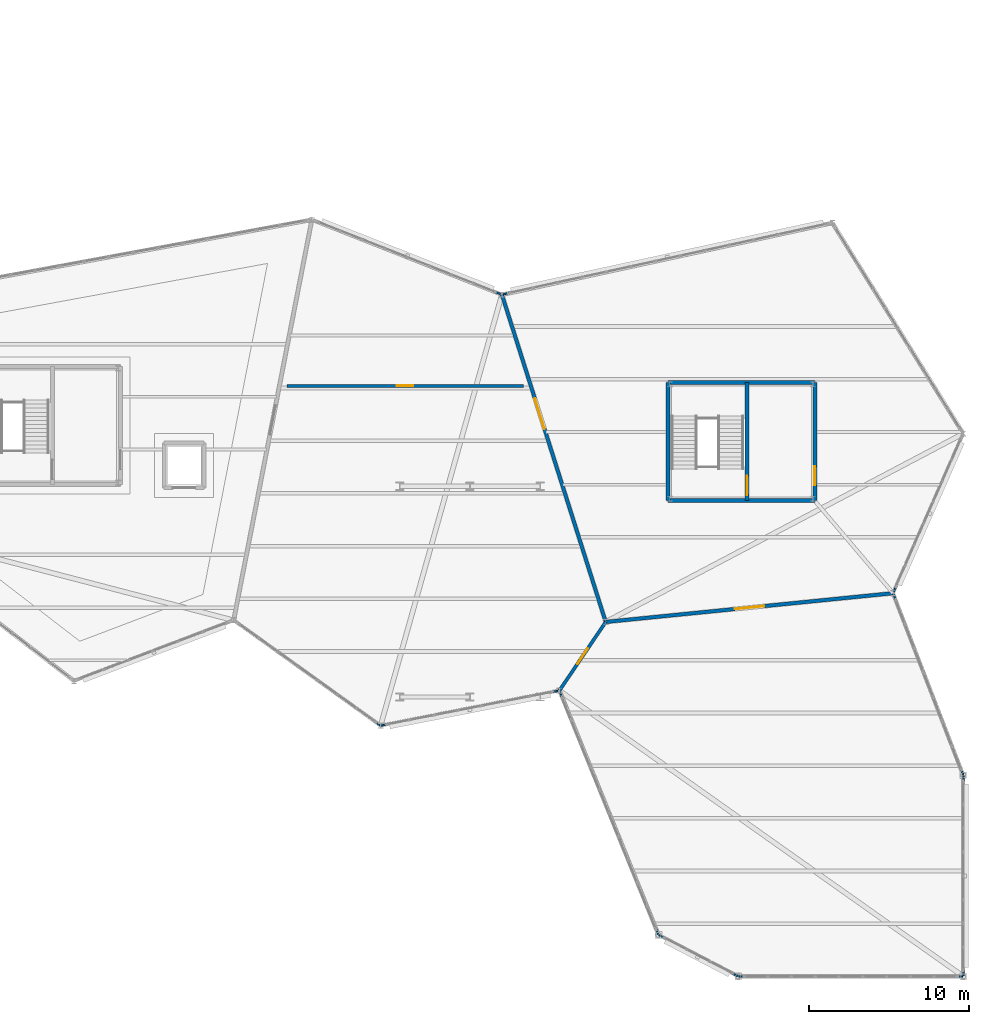
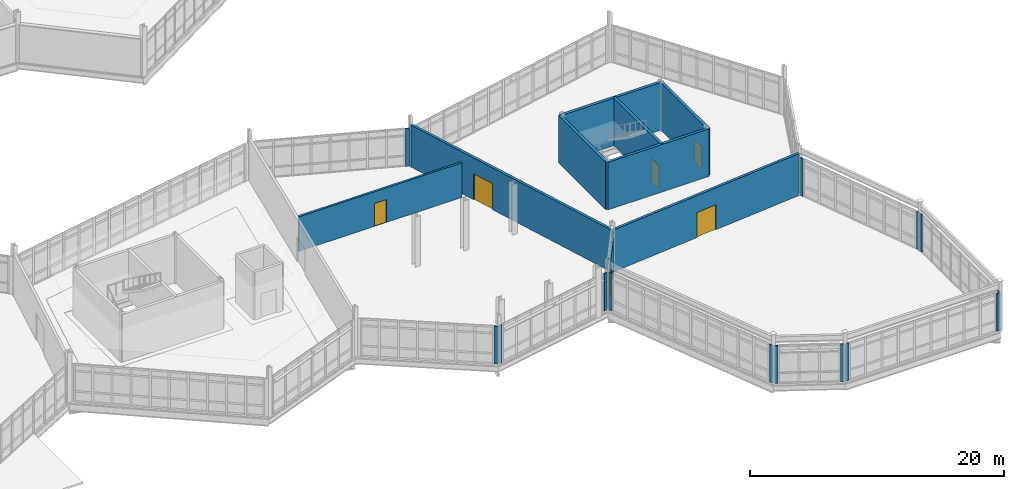
# One storey, part 117 of 134: 25 walls, 6 doors, 6 openings.
"""IFC4 building model written with IfcOpenShell, lengths in metres."""

from ifc_helpers import new_model, si_unit, direction, frame, frame_2d, origin, place, context, subcontext, project, spatial, rectangle, extrude, material, layer, layer_set, type_object, element, fill, save


model = new_model("IFC4")

# Units and contexts
model_context = context("Model", 3, precision=1e-05, world=origin(), true_north=direction((0.0, 1.0)))
body_context = subcontext(model_context, "Body", "Model", "MODEL_VIEW")
ifc_project = project(units=[si_unit("LENGTHUNIT", "METRE"), si_unit("AREAUNIT", "SQUARE_METRE"), si_unit("VOLUMEUNIT", "CUBIC_METRE"), si_unit("PLANEANGLEUNIT", "RADIAN"), si_unit("MASSUNIT", "GRAM", prefix="KILO")], contexts=[model_context])

# Site, building, storey
site_placement = place(None, origin())
site = spatial("IfcSite", under=ifc_project, at=site_placement, CompositionType="ELEMENT")
building_placement = place(site_placement, origin())
building = spatial("IfcBuilding", under=site, at=building_placement, Name="Tameran Prism Museum", CompositionType="ELEMENT")
storey_placement = place(building_placement, frame((0.0, 0.0, 5.39990234375)))
storey = spatial("IfcBuildingStorey", under=building, at=storey_placement, Name="L01", CompositionType="ELEMENT", Elevation=5.39990234375)

# Walls
ifc_material_1 = material(Name="Precast Concrete N40 (40 MPa)", Category="concrete")
ifc_layer_1 = layer(ifc_material_1, 0.094970703125)
ifc_layer_set_1 = layer_set([ifc_layer_1])
wall_type_1 = type_object("IfcWallType", Name="EW-CLOS-095", PredefinedType="SOLIDWALL", material=ifc_layer_set_1)
wall_1_placement = place(storey_placement, frame((137.117919921875, 42.85107421875, 0.0), z_axis=(0.0, 0.0, 1.0), x_axis=(0.929400367485, -0.369073105115, 0.0)))
element("IfcWall", 1, at=wall_1_placement, inside=storey, type_object=wall_type_1, Name="Facade Corner Closure EW-0212", PredefinedType="SOLIDWALL", context=body_context, shape_type="SweptSolid", body=[
    extrude(rectangle(XDim=0.308837890625, YDim=0.094970703125, at=frame_2d((0.154296875, 0.0))), origin(), (0.0, 0.0, 1.0), 3.6201171875),
])
wall_2_placement = place(storey_placement, frame((129.865966796875, 15.72412109375, 0.0), z_axis=(0.0, 0.0, 1.0), x_axis=(-0.811639565077, 0.584158554162, 0.0)))
element("IfcWall", 2, at=wall_2_placement, inside=storey, type_object=wall_type_1, Name="Facade Corner Closure EW-0213", PredefinedType="SOLIDWALL", context=body_context, shape_type="SweptSolid", body=[
    extrude(rectangle(XDim=0.30810546875, YDim=0.094970703125, at=frame_2d((0.154052734375, 0.0))), origin(), (0.0, 0.0, 1.0), 3.6201171875),
])
for number, where, z_axis, x_axis, name in (
    (3, (141.0, 17.8798828125, 0.0), (0.0, 0.0, 1.0), (-0.981545118721, -0.19123069815, 0.0), "Facade Corner Closure EW-0215"),
    (4, (130.242919921875, 15.76708984375, 0.0), (0.0, 0.0, 1.0), (-0.981395904747, -0.191994995108, 0.0), "Facade Corner Closure EW-0216"),
):
    element("IfcWall", number, at=place(storey_placement, frame(where, z_axis=z_axis, x_axis=x_axis)), inside=storey, type_object=wall_type_1, Name=name, PredefinedType="SOLIDWALL", context=body_context, shape_type="SweptSolid", body=[
        extrude(rectangle(XDim=0.3076171875, YDim=0.094970703125, at=frame_2d((0.15380859375, 0.0))), origin(), (0.0, 0.0, 1.0), 3.6201171875),
    ])
wall_3_placement = place(storey_placement, frame((147.283935546875, 2.638916015625, 0.0), z_axis=(0.0, 0.0, 1.0), x_axis=(-0.373990367235, 0.927432587963, 0.0)))
element("IfcWall", 5, at=wall_3_placement, inside=storey, type_object=wall_type_1, Name="Facade Corner Closure EW-0217", PredefinedType="SOLIDWALL", context=body_context, shape_type="SweptSolid", body=[
    extrude(rectangle(XDim=0.307373046875, YDim=0.094970703125, at=frame_2d((0.15380859375, 0.0))), origin(), (0.0, 0.0, 1.0), 3.6201171875),
])
wall_4_placement = place(storey_placement, frame((141.25390625, 17.52001953125, 0.0), z_axis=(0.0, 0.0, 1.0), x_axis=(-0.374265965306, 0.927321404484, 0.0)))
element("IfcWall", 6, at=wall_4_placement, inside=storey, type_object=wall_type_1, Name="Facade Corner Closure EW-0218", PredefinedType="SOLIDWALL", context=body_context, shape_type="SweptSolid", body=[
    extrude(rectangle(XDim=0.30712890625, YDim=0.094970703125, at=frame_2d((0.153564453125, 0.0))), origin(), (0.0, 0.0, 1.0), 3.6201171875),
])
wall_5_placement = place(storey_placement, frame((152.262939453125, 0.01904296875, 0.0), z_axis=(0.0, 0.0, 1.0), x_axis=(-0.888005951379, 0.45983195878, 0.0)))
element("IfcWall", 7, at=wall_5_placement, inside=storey, type_object=wall_type_1, Name="Facade Corner Closure EW-0219", PredefinedType="SOLIDWALL", context=body_context, shape_type="SweptSolid", body=[
    extrude(rectangle(XDim=0.30859375, YDim=0.094970703125, at=frame_2d((0.154296875, 0.0))), origin(), (0.0, 0.0, 1.0), 3.6201171875),
])
wall_6_placement = place(storey_placement, frame((147.611083984375, 2.43896484375, 0.0), z_axis=(0.0, 0.0, 1.0), x_axis=(-0.887850239649, 0.460132537378, 0.0)))
element("IfcWall", 8, at=wall_6_placement, inside=storey, type_object=wall_type_1, Name="Facade Corner Closure EW-0220", PredefinedType="SOLIDWALL", context=body_context, shape_type="SweptSolid", body=[
    extrude(rectangle(XDim=0.308837890625, YDim=0.094970703125, at=frame_2d((0.154296875, 0.0))), origin(), (0.0, 0.0, 1.0), 3.6201171875),
])
for number, where, z_axis, x_axis, name in (
    (9, (166.35791015625, 0.0, 0.0), (0.0, 0.0, 1.0), (-1.0, 0.0, 0.0), "Facade Corner Closure EW-0221"),
    (10, (152.64990234375, 0.0, 0.0), (0.0, 0.0, 1.0), (-1.0, 0.0, 0.0), "Facade Corner Closure EW-0222"),
):
    element("IfcWall", number, at=place(storey_placement, frame(where, z_axis=z_axis, x_axis=x_axis)), inside=storey, type_object=wall_type_1, Name=name, PredefinedType="SOLIDWALL", context=body_context, shape_type="SweptSolid", body=[
        extrude(rectangle(XDim=0.307861328125, YDim=0.094970703125, at=frame_2d((0.15380859375, 0.0))), origin(), (0.0, 0.0, 1.0), 3.6201171875),
    ])
for number, where, z_axis, x_axis, name in (
    (11, (166.39990234375, 12.55810546875, 0.0), (0.0, 0.0, 1.0), (0.0, -1.0, 0.0), "Facade Corner Closure EW-0223"),
    (12, (166.39990234375, 0.35009765625, 0.0), (0.0, 0.0, 1.0), (0.0, -1.0, 0.0), "Facade Corner Closure EW-0224"),
):
    element("IfcWall", number, at=place(storey_placement, frame(where, z_axis=z_axis, x_axis=x_axis)), inside=storey, type_object=wall_type_1, Name=name, PredefinedType="SOLIDWALL", context=body_context, shape_type="SweptSolid", body=[
        extrude(rectangle(XDim=0.30810546875, YDim=0.094970703125, at=frame_2d((0.154052734375, 0.0))), origin(), (0.0, 0.0, 1.0), 3.6201171875),
    ])
wall_7_placement = place(storey_placement, frame((162.037109375, 23.905029296875, 0.0), z_axis=(0.0, 0.0, 1.0), x_axis=(0.359085078765, -0.933304830271, 0.0)))
element("IfcWall", 13, at=wall_7_placement, inside=storey, type_object=wall_type_1, Name="Facade Corner Closure EW-0225", PredefinedType="SOLIDWALL", context=body_context, shape_type="SweptSolid", body=[
    extrude(rectangle(XDim=0.30859375, YDim=0.094970703125, at=frame_2d((0.154296875, 0.0))), origin(), (0.0, 0.0, 1.0), 3.6201171875),
])
wall_8_placement = place(storey_placement, frame((166.27392578125, 12.927001953125, 0.0), z_axis=(0.0, 0.0, 1.0), x_axis=(0.359773736497, -0.933039580365, 0.0)))
element("IfcWall", 14, at=wall_8_placement, inside=storey, type_object=wall_type_1, Name="Facade Corner Closure EW-0226", PredefinedType="SOLIDWALL", context=body_context, shape_type="SweptSolid", body=[
    extrude(rectangle(XDim=0.308837890625, YDim=0.094970703125, at=frame_2d((0.154296875, 0.0))), origin(), (0.0, 0.0, 1.0), 3.6201171875),
])
wall_9_placement = place(storey_placement, frame((162.1650390625, 24.375, 0.0), z_axis=(0.0, 0.0, 1.0), x_axis=(-0.402605813257, -0.915373453369, 0.0)))
element("IfcWall", 15, at=wall_9_placement, inside=storey, type_object=wall_type_1, Name="Facade Corner Closure EW-0265", PredefinedType="SOLIDWALL", context=body_context, shape_type="SweptSolid", body=[
    extrude(rectangle(XDim=0.30810546875, YDim=0.094970703125, at=frame_2d((0.154052734375, 0.0))), origin(), (0.0, 0.0, 1.0), 3.6201171875),
])
wall_10_placement = place(storey_placement, frame((137.60009765625, 42.721923828125, 0.0), z_axis=(0.0, 0.0, 1.0), x_axis=(0.977312194123, 0.211803860252, 0.0)))
element("IfcWall", 16, at=wall_10_placement, inside=storey, type_object=wall_type_1, Name="Facade Corner Closure EW-0268", PredefinedType="SOLIDWALL", context=body_context, shape_type="SweptSolid", body=[
    extrude(rectangle(XDim=0.307861328125, YDim=0.094970703125, at=frame_2d((0.15380859375, 0.0))), origin(), (0.0, 0.0, 1.0), 3.6201171875),
])

# Wall, opening, door
ifc_material_2 = material(Name="Concrete N32 (32 MPa)", Category="concrete")
ifc_layer_2 = layer(ifc_material_2, 0.205078125)
ifc_layer_set_2 = layer_set([ifc_layer_2])
wall_type_2 = type_object("IfcWallType", Name="IW-CMP-205", PredefinedType="SOLIDWALL", material=ifc_layer_set_2)
wall_11_placement = place(storey_placement, frame((141.10009765625, 17.89990234375, 0.0), z_axis=(0.0, 0.0, 1.0), x_axis=(0.559124361662, 0.829083800467, 0.0)))
wall_11 = element("IfcWall", 17, at=wall_11_placement, inside=storey, type_object=wall_type_2, Name="Compartment Wall IW-0088", PredefinedType="SOLIDWALL", context=body_context, shape_type="SweptSolid", body=[
    extrude(rectangle(XDim=5.1865234375, YDim=0.205078125, at=frame_2d((2.59326171875, 0.0))), origin(), (0.0, 0.0, 1.0), 3.320068359375),
])
opening_1_placement = place(wall_11_placement, frame((2.01806640625, 0.0, 0.0)))
opening_1 = element("IfcOpeningElement", 18, at=opening_1_placement, cuts=wall_11, Name="Opening ID-0087", PredefinedType="OPENING", context=body_context, shape_type="SweptSolid", body=[
    extrude(rectangle(XDim=1.14990234375, YDim=2.199951171875, at=frame_2d((0.574951171875, 1.10009765625))), frame((0.0, 0.112548828125, 0.0), z_axis=(0.0, -1.0, 0.0), x_axis=(1.0, 0.0, 0.0)), (0.0, 0.0, 1.0), 0.22509765625),
])
ifc_material_3 = material(Name="Fire-Rated Steel Door Leaf and Frame", Category="steel")
door_type_1 = type_object("IfcDoorType", Name="DR-FD-120B", OperationType="NOTDEFINED", PredefinedType="DOOR", material=ifc_material_3)
door_1_placement = place(opening_1_placement, origin())
door_1 = element("IfcDoor", 19, at=door_1_placement, inside=storey, type_object=door_type_1, Name="Compartment Door ID-0087", OperationType="SINGLE_SWING_RIGHT", OverallHeight=2.199951171875, OverallWidth=1.14990234375, PredefinedType="DOOR", context=body_context, shape_type="SweptSolid", body=[
    extrude(rectangle(XDim=1.14990234375, YDim=2.199951171875, at=frame_2d((0.574951171875, 1.10009765625))), frame((0.0, 0.02490234375, 0.0), z_axis=(0.0, -1.0, 0.0), x_axis=(1.0, 0.0, 0.0)), (0.0, 0.0, 1.0), 0.050048828125),
])
fill(opening_1, door_1)

ifc_material_4 = material(Name="Concrete N40 (40 MPa)", Category="concrete")
ifc_layer_3 = layer(ifc_material_4, 0.22509765625)
ifc_layer_set_3 = layer_set([ifc_layer_3])
wall_type_3 = type_object("IfcWallType", Name="IW-CMP-225", PredefinedType="SOLIDWALL", material=ifc_layer_set_3)
wall_12_placement = place(storey_placement, frame((144.0, 22.199951171875, 0.0), z_axis=(0.0, 0.0, 1.0), x_axis=(-0.302243860734, 0.953230637699, 0.0)))
wall_12 = element("IfcWall", 20, at=wall_12_placement, inside=storey, type_object=wall_type_3, Name="Compartment Wall IW-0089", PredefinedType="SOLIDWALL", context=body_context, shape_type="SweptSolid", body=[
    extrude(rectangle(XDim=21.505859375, YDim=0.22509765625, at=frame_2d((10.7529296875, 0.0))), origin(), (0.0, 0.0, 1.0), 4.02001953125),
])
opening_2_placement = place(wall_12_placement, frame((12.678955078125, 0.0, 0.0)))
opening_2 = element("IfcOpeningElement", 21, at=opening_2_placement, cuts=wall_12, Name="Opening ID-0088", PredefinedType="OPENING", context=body_context, shape_type="SweptSolid", body=[
    extrude(rectangle(XDim=2.0, YDim=2.5, at=frame_2d((1.0, 1.25))), frame((0.0, 0.12255859375, 0.0), z_axis=(0.0, -1.0, 0.0), x_axis=(1.0, 0.0, 0.0)), (0.0, 0.0, 1.0), 0.2451171875),
])
ifc_material_5 = material(Name="Fire-Rated Steel Door Leaf and Frame", Category="steel")
door_type_2 = type_object("IfcDoorType", Name="DR-GAL-200", OperationType="DOUBLE_DOOR_SINGLE_SWING", PredefinedType="DOOR", material=ifc_material_5)
door_2_placement = place(opening_2_placement, origin())
door_2 = element("IfcDoor", 22, at=door_2_placement, inside=storey, type_object=door_type_2, Name="Compartment Door ID-0088", OperationType="DOUBLE_DOOR_SINGLE_SWING", OverallHeight=2.5, OverallWidth=2.0, PredefinedType="DOOR", context=body_context, shape_type="SweptSolid", body=[
    extrude(rectangle(XDim=2.0, YDim=2.5, at=frame_2d((1.0, 1.25))), frame((0.0, 0.02490234375, 0.0), z_axis=(0.0, -1.0, 0.0), x_axis=(1.0, 0.0, 0.0)), (0.0, 0.0, 1.0), 0.050048828125),
])
fill(opening_2, door_2)

wall_13_placement = place(storey_placement, frame((162.0, 24.0, 0.0), z_axis=(0.0, 0.0, 1.0), x_axis=(-0.995036922958, -0.099506391506, 0.0)))
wall_13 = element("IfcWall", 23, at=wall_13_placement, inside=storey, type_object=wall_type_3, Name="Compartment Wall IW-0090", PredefinedType="SOLIDWALL", context=body_context, shape_type="SweptSolid", body=[
    extrude(rectangle(XDim=18.08984375, YDim=0.22509765625, at=frame_2d((9.044921875, 0.0))), origin(), (0.0, 0.0, 1.0), 4.02001953125),
])
opening_3_placement = place(wall_13_placement, frame((8.1201171875, 0.0, 0.0)))
opening_3 = element("IfcOpeningElement", 24, at=opening_3_placement, cuts=wall_13, Name="Opening ID-0089", PredefinedType="OPENING", context=body_context, shape_type="SweptSolid", body=[
    extrude(rectangle(XDim=1.85009765625, YDim=2.39990234375, at=frame_2d((0.925048828125, 1.199951171875))), frame((0.0, 0.12255859375, 0.0), z_axis=(0.0, -1.0, 0.0), x_axis=(1.0, 0.0, 0.0)), (0.0, 0.0, 1.0), 0.2451171875),
])
ifc_material_6 = material(Name="Fire-Rated Steel Door Leaf and Frame", Category="steel")
door_type_3 = type_object("IfcDoorType", Name="DR-GAL-185", OperationType="DOUBLE_DOOR_SINGLE_SWING", PredefinedType="DOOR", material=ifc_material_6)
door_3_placement = place(opening_3_placement, origin())
door_3 = element("IfcDoor", 25, at=door_3_placement, inside=storey, type_object=door_type_3, Name="Compartment Door ID-0089", OperationType="DOUBLE_DOOR_SINGLE_SWING", OverallHeight=2.39990234375, OverallWidth=1.85009765625, PredefinedType="DOOR", context=body_context, shape_type="SweptSolid", body=[
    extrude(rectangle(XDim=1.85009765625, YDim=2.39990234375, at=frame_2d((0.925048828125, 1.199951171875))), frame((0.0, 0.02490234375, 0.0), z_axis=(0.0, -1.0, 0.0), x_axis=(1.0, 0.0, 0.0)), (0.0, 0.0, 1.0), 0.050048828125),
])
fill(opening_3, door_3)

# Walls
ifc_material_7 = material(Name="Concrete N40 (40 MPa)", Category="concrete")
ifc_layer_4 = layer(ifc_material_7, 0.25)
ifc_layer_set_4 = layer_set([ifc_layer_4])
wall_type_4 = type_object("IfcWallType", Name="IW-COR-250", PredefinedType="SHEAR", material=ifc_layer_set_4)
wall_14_placement = place(storey_placement, frame((147.89990234375, 29.800048828125, 0.0), z_axis=(0.0, 0.0, 1.0), x_axis=(0.0, 1.0, 0.0)))
element("IfcWall", 26, at=wall_14_placement, inside=storey, type_object=wall_type_4, Name="Core Shear Wall CW-13-L01-W", PredefinedType="SHEAR", context=body_context, shape_type="SweptSolid", body=[
    extrude(rectangle(XDim=7.39990234375, YDim=0.25, at=frame_2d((3.699951171875, 0.0))), origin(), (0.0, 0.0, 1.0), 4.56005859375),
])
for number, where, z_axis, x_axis, name in (
    (27, (147.89990234375, 37.199951171875, 0.0), (0.0, 0.0, 1.0), (1.0, 0.0, 0.0), "Core Shear Wall CW-13-L01-N"),
    (28, (157.10009765625, 29.800048828125, 0.0), (0.0, 0.0, 1.0), (-1.0, 0.0, 0.0), "Core Shear Wall CW-13-L01-S"),
):
    element("IfcWall", number, at=place(storey_placement, frame(where, z_axis=z_axis, x_axis=x_axis)), inside=storey, type_object=wall_type_4, Name=name, PredefinedType="SHEAR", context=body_context, shape_type="SweptSolid", body=[
        extrude(rectangle(XDim=9.2001953125, YDim=0.25, at=frame_2d((4.60009765625, 0.0))), origin(), (0.0, 0.0, 1.0), 4.56005859375),
    ])

# Wall, opening, door
wall_15_placement = place(storey_placement, frame((157.10009765625, 37.199951171875, 0.0), z_axis=(0.0, 0.0, 1.0), x_axis=(0.0, -1.0, 0.0)))
wall_15 = element("IfcWall", 29, at=wall_15_placement, inside=storey, type_object=wall_type_4, Name="Core Shear Wall CW-13-L01-E", PredefinedType="SHEAR", context=body_context, shape_type="SweptSolid", body=[
    extrude(rectangle(XDim=7.39990234375, YDim=0.25, at=frame_2d((3.699951171875, 0.0))), origin(), (0.0, 0.0, 1.0), 4.56005859375),
])
opening_4_placement = place(wall_15_placement, frame((5.25, 0.0, 0.0)))
opening_4 = element("IfcOpeningElement", 30, at=opening_4_placement, cuts=wall_15, Name="Opening FD-0283", PredefinedType="OPENING", context=body_context, shape_type="SweptSolid", body=[
    extrude(rectangle(XDim=1.199951171875, YDim=2.199951171875, at=frame_2d((0.60009765625, 1.10009765625))), frame((0.0, 0.135009765625, 0.0), z_axis=(0.0, -1.0, 0.0), x_axis=(1.0, 0.0, 0.0)), (0.0, 0.0, 1.0), 0.27001953125),
])
ifc_material_8 = material(Name="Fire-Rated Steel Door Leaf and Frame", Category="steel")
door_type_4 = type_object("IfcDoorType", Name="DR-FD-120A", OperationType="NOTDEFINED", PredefinedType="DOOR", material=ifc_material_8)
door_4_placement = place(opening_4_placement, origin())
door_4 = element("IfcDoor", 31, at=door_4_placement, inside=storey, type_object=door_type_4, Name="Core Fire Door FD-0283", OperationType="SINGLE_SWING_LEFT", OverallHeight=2.199951171875, OverallWidth=1.199951171875, PredefinedType="DOOR", context=body_context, shape_type="SweptSolid", body=[
    extrude(rectangle(XDim=1.199951171875, YDim=2.199951171875, at=frame_2d((0.60009765625, 1.10009765625))), frame((0.0, 0.02490234375, 0.0), z_axis=(0.0, -1.0, 0.0), x_axis=(1.0, 0.0, 0.0)), (0.0, 0.0, 1.0), 0.050048828125),
])
fill(opening_4, door_4)

wall_16_placement = place(storey_placement, frame((152.85009765625, 37.199951171875, 0.0), z_axis=(0.0, 0.0, 1.0), x_axis=(0.0, -1.0, 0.0)))
wall_16 = element("IfcWall", 32, at=wall_16_placement, inside=storey, type_object=wall_type_4, Name="Core Shear Wall CW-13-L01-M", PredefinedType="SHEAR", context=body_context, shape_type="SweptSolid", body=[
    extrude(rectangle(XDim=7.39990234375, YDim=0.25, at=frame_2d((3.699951171875, 0.0))), origin(), (0.0, 0.0, 1.0), 4.56005859375),
])
opening_5_placement = place(wall_16_placement, frame((5.85009765625, 0.0, 0.0)))
opening_5 = element("IfcOpeningElement", 33, at=opening_5_placement, cuts=wall_16, Name="Opening FD-0284", PredefinedType="OPENING", context=body_context, shape_type="SweptSolid", body=[
    extrude(rectangle(XDim=1.199951171875, YDim=2.199951171875, at=frame_2d((0.60009765625, 1.10009765625))), frame((0.0, 0.135009765625, 0.0), z_axis=(0.0, -1.0, 0.0), x_axis=(1.0, 0.0, 0.0)), (0.0, 0.0, 1.0), 0.27001953125),
])
door_5_placement = place(opening_5_placement, origin())
door_5 = element("IfcDoor", 34, at=door_5_placement, inside=storey, type_object=door_type_4, Name="Core Fire Door FD-0284", OperationType="SINGLE_SWING_RIGHT", OverallHeight=2.199951171875, OverallWidth=1.199951171875, PredefinedType="DOOR", context=body_context, shape_type="SweptSolid", body=[
    extrude(rectangle(XDim=1.199951171875, YDim=2.199951171875, at=frame_2d((0.60009765625, 1.10009765625))), frame((0.0, 0.02490234375, 0.0), z_axis=(0.0, -1.0, 0.0), x_axis=(1.0, 0.0, 0.0)), (0.0, 0.0, 1.0), 0.050048828125),
])
fill(opening_5, door_5)

ifc_material_9 = material(Name="Acoustic Double Stud Plasterboard")
ifc_layer_5 = layer(ifc_material_9, 0.18505859375)
ifc_layer_set_5 = layer_set([ifc_layer_5])
wall_type_5 = type_object("IfcWallType", Name="IW-PRT-185", PredefinedType="PARTITIONING", material=ifc_layer_set_5)
wall_17_placement = place(storey_placement, frame((124.02587890625, 36.989990234375, 0.0), z_axis=(0.0, 0.0, 1.0), x_axis=(1.0, 0.0, 0.0)))
wall_17 = element("IfcWall", 35, at=wall_17_placement, inside=storey, type_object=wall_type_5, Name="Internal Partition PT-0104", PredefinedType="PARTITIONING", context=body_context, shape_type="SweptSolid", body=[
    extrude(rectangle(XDim=14.81201171875, YDim=0.18505859375, at=frame_2d((7.406005859375, 0.0))), origin(), (0.0, 0.0, 1.0), 3.320068359375),
])
opening_6_placement = place(wall_17_placement, frame((6.881103515625, 0.0, 0.0)))
opening_6 = element("IfcOpeningElement", 36, at=opening_6_placement, cuts=wall_17, Name="Opening ID-0103", PredefinedType="OPENING", context=body_context, shape_type="SweptSolid", body=[
    extrude(rectangle(XDim=1.050048828125, YDim=2.199951171875, at=frame_2d((0.52490234375, 1.10009765625))), frame((0.0, 0.1025390625, 0.0), z_axis=(0.0, -1.0, 0.0), x_axis=(1.0, 0.0, 0.0)), (0.0, 0.0, 1.0), 0.205078125),
])
ifc_material_10 = material(Name="Fire-Rated Steel Door Leaf and Frame", Category="steel")
door_type_5 = type_object("IfcDoorType", Name="DR-INT-105", OperationType="NOTDEFINED", PredefinedType="DOOR", material=ifc_material_10)
door_6_placement = place(opening_6_placement, origin())
door_6 = element("IfcDoor", 37, at=door_6_placement, inside=storey, type_object=door_type_5, Name="Interior Room Door ID-0103", OperationType="SINGLE_SWING_RIGHT", OverallHeight=2.199951171875, OverallWidth=1.050048828125, PredefinedType="DOOR", context=body_context, shape_type="SweptSolid", body=[
    extrude(rectangle(XDim=1.050048828125, YDim=2.199951171875, at=frame_2d((0.52490234375, 1.10009765625))), frame((0.0, 0.02490234375, 0.0), z_axis=(0.0, -1.0, 0.0), x_axis=(1.0, 0.0, 0.0)), (0.0, 0.0, 1.0), 0.050048828125),
])
fill(opening_6, door_6)

save(model, "model.ifc")
